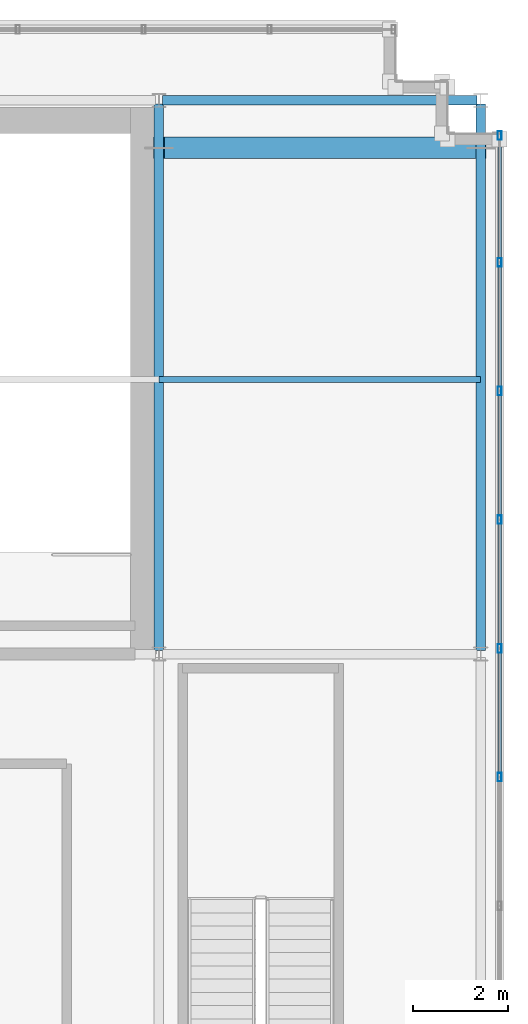
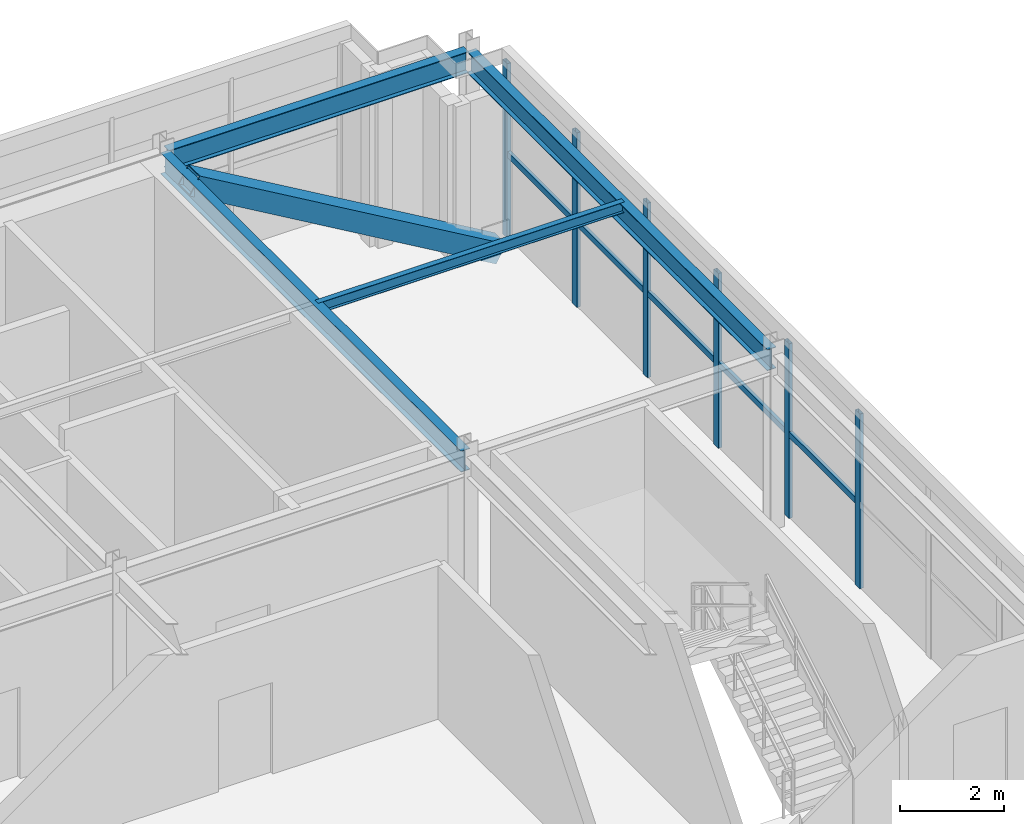
# One storey, part 22 of 37: 13 members, 3 beams, 1 element without a shape of its own.
"""IFC4 building model written with IfcOpenShell, lengths in metres."""

from ifc_helpers import new_model, si_unit, direction, frame, origin, origin_2d, place, context, subcontext, project, spatial, hollow_rectangle, i_section, extrude, source, transform, mapped, material, material_profile, profile_set, type_object, element, aggregate, save


model = new_model("IFC4")

# Units and contexts
model_context = context("Model", 3, precision=1e-05, world=origin(), true_north=direction((0.0, 1.0)))
body_context = subcontext(model_context, "Body", "Model", "MODEL_VIEW")
ifc_project = project(units=[si_unit("LENGTHUNIT", "METRE"), si_unit("AREAUNIT", "SQUARE_METRE"), si_unit("VOLUMEUNIT", "CUBIC_METRE"), si_unit("PLANEANGLEUNIT", "RADIAN"), si_unit("MASSUNIT", "GRAM", prefix="KILO")], contexts=[model_context])

# Site, building, storey
site_placement = place(None, origin())
site = spatial("IfcSite", under=ifc_project, at=site_placement, CompositionType="ELEMENT")
building_placement = place(site_placement, origin())
building = spatial("IfcBuilding", under=site, at=building_placement, Name="Trelvane Seafront Commons", CompositionType="ELEMENT")
storey_placement = place(building_placement, frame((0.0, 0.0, 303.5)))
storey = spatial("IfcBuildingStorey", under=building, at=storey_placement, Name="L79", CompositionType="ELEMENT", Elevation=303.5)

# Beams
ifc_material_1 = material(Name="Steel SM355 (S355)", Category="steel")
ifc_material_profile_1 = material_profile(ifc_material_1, i_section(OverallWidth=0.199951171875, OverallDepth=0.5, WebThickness=0.010009765625, FlangeThickness=0.01611328125, at=origin_2d()), Name="H-500x200x10x16")
ifc_profile_set_1 = profile_set([ifc_material_profile_1], Name="Steel SM355 (S355)")
beam_type_1 = type_object("IfcBeamType", Name="STR-CROWN-FRAME-RING", PredefinedType="SPANDREL", material=ifc_profile_set_1)
shared_shape_1 = source(origin(), body_context, "Body", "SweptSolid", [
    extrude(i_section(OverallWidth=0.199951171875, OverallDepth=0.5, WebThickness=0.010009765625, FlangeThickness=0.01611328125, at=origin_2d()), origin(), (0.0, 0.0, 1.0), 6.64990234375),
])
beam_placement = place(storey_placement, frame((58.875, 45.10009765625, 3.85009765625), z_axis=(1.0, 0.0, 0.0), x_axis=(0.0, 1.0, 0.0)))
element("IfcBeam", 1, at=beam_placement, inside=storey, type_object=beam_type_1, Name="L79 CROWN FRAME Ring Beam G-21", PredefinedType="SPANDREL", context=body_context, shape_type="MappedRepresentation", body=[
    mapped(shared_shape_1, transform((0.0, 0.0, 0.0), x_axis=(1.0, 0.0, 0.0), y_axis=(0.0, 1.0, 0.0), z_axis=(0.0, 0.0, 1.0), scale=1.0)),
])
ifc_material_profile_2 = material_profile(ifc_material_1, i_section(OverallWidth=0.199951171875, OverallDepth=0.5, WebThickness=0.010009765625, FlangeThickness=0.01611328125, at=origin_2d()), Name="H-500x200x10x16")
ifc_profile_set_2 = profile_set([ifc_material_profile_2], Name="Steel SM355 (S355)")
beam_type_2 = type_object("IfcBeamType", Name="STR-BM-H500", PredefinedType="BEAM", material=ifc_profile_set_2)
shared_shape_2 = source(origin(), body_context, "Body", "SweptSolid", [
    extrude(i_section(OverallWidth=0.199951171875, OverallDepth=0.5, WebThickness=0.010009765625, FlangeThickness=0.01611328125, at=origin_2d()), origin(), (0.0, 0.0, 1.0), 11.5498046875),
])
for number, where, z_axis, x_axis, name in (
    (2, (58.800048828125, 33.47509765625, 3.85009765625), (0.0, 1.0, 0.0), (-1.0, 0.0, 0.0), "L79 Primary Girder G-35"),
    (3, (65.60009765625, 33.47509765625, 3.85009765625), (0.0, 1.0, 0.0), (-1.0, 0.0, 0.0), "L79 Primary Girder G-37"),
):
    element("IfcBeam", number, at=place(storey_placement, frame(where, z_axis=z_axis, x_axis=x_axis)), inside=storey, type_object=beam_type_2, Name=name, PredefinedType="BEAM", context=body_context, shape_type="MappedRepresentation", body=[
        mapped(shared_shape_2, transform((0.0, 0.0, 0.0), x_axis=(1.0, 0.0, 0.0), y_axis=(0.0, 1.0, 0.0), z_axis=(0.0, 0.0, 1.0), scale=1.0)),
    ])

# Members
ifc_material_profile_3 = material_profile(ifc_material_1, i_section(OverallWidth=0.125, OverallDepth=0.25, WebThickness=0.006103515625, FlangeThickness=0.009033203125, at=origin_2d()), Name="H-250x125x6x9")
ifc_profile_set_3 = profile_set([ifc_material_profile_3], Name="Steel SM355 (S355)")
member_type_1 = type_object("IfcMemberType", Name="STR-PUR-H250", PredefinedType="PURLIN", material=ifc_profile_set_3)
shared_shape_3 = source(origin(), body_context, "Body", "SweptSolid", [
    extrude(i_section(OverallWidth=0.125, OverallDepth=0.25, WebThickness=0.006103515625, FlangeThickness=0.009033203125, at=origin_2d()), origin(), (0.0, 0.0, 1.0), 6.800048828125),
])
member_1_placement = place(storey_placement, frame((58.800048828125, 39.199951171875, 3.97509765625), z_axis=(1.0, 0.0, 0.0), x_axis=(0.0, 1.0, 0.0)))
element("IfcMember", 4, at=member_1_placement, inside=storey, type_object=member_type_1, Name="L79 Crown Roof Purlin PR-2", PredefinedType="PURLIN", context=body_context, shape_type="MappedRepresentation", body=[
    mapped(shared_shape_3, transform((0.0, 0.0, 0.0), x_axis=(1.0, 0.0, 0.0), y_axis=(0.0, 1.0, 0.0), z_axis=(0.0, 0.0, 1.0), scale=1.0)),
])
ifc_material_profile_4 = material_profile(ifc_material_1, hollow_rectangle(XDim=0.449951171875, YDim=0.449951171875, WallThickness=0.02001953125, at=origin_2d()), Name="RHS-450x450x20")
ifc_profile_set_4 = profile_set([ifc_material_profile_4], Name="Steel SM355 (S355)")
member_type_2 = type_object("IfcMemberType", Name="STR-BRC-RHS450", PredefinedType="BRACE", material=ifc_profile_set_4)
shared_shape_4 = source(origin(), body_context, "Body", "SweptSolid", [
    extrude(hollow_rectangle(XDim=0.449951171875, YDim=0.449951171875, WallThickness=0.02001953125, at=origin_2d()), origin(), (0.0, 0.0, 1.0), 7.879150390625),
])
member_2_placement = place(storey_placement, frame((65.60009765625, 44.10009765625, 0.0), z_axis=(-0.863044121855, 0.0, 0.50512854179), x_axis=(0.0, -1.0, 0.0)))
element("IfcMember", 5, at=member_2_placement, inside=storey, type_object=member_type_2, Name="L79 CROWN FRAME Diagonal Brace CE", PredefinedType="BRACE", context=body_context, shape_type="MappedRepresentation", body=[
    mapped(shared_shape_4, transform((0.0, 0.0, 0.0), x_axis=(1.0, 0.0, 0.0), y_axis=(0.0, 1.0, 0.0), z_axis=(0.0, 0.0, 1.0), scale=1.0)),
])

# Curtain wall, members
ifc_material_2 = material(Name="Anodised pale-silver aluminium", Category="aluminium")
curtain_wall_type = type_object("IfcCurtainWallType", Name="ARCH-CW6-CROWN", PredefinedType="NOTDEFINED", material=ifc_material_2)
curtain_wall_placement = place(storey_placement, origin())
curtain_wall = element("IfcCurtainWall", 6, at=curtain_wall_placement, inside=storey, type_object=curtain_wall_type, Name="CW-L79-0130", PredefinedType="NOTDEFINED")
ifc_material_profile_5 = material_profile(ifc_material_2, hollow_rectangle(XDim=0.080078125, YDim=0.179931640625, WallThickness=0.00439453125, at=origin_2d()), Name="MULL-80x180x4.5")
ifc_profile_set_5 = profile_set([ifc_material_profile_5], Name="Anodised pale-silver aluminium")
member_type_3 = type_object("IfcMemberType", Name="ARCH-CW-MULL-180", PredefinedType="MULLION", material=ifc_profile_set_5)
shared_shape_5 = source(origin(), body_context, "Body", "SweptSolid", [
    extrude(hollow_rectangle(XDim=0.080078125, YDim=0.179931640625, WallThickness=0.00439453125, at=origin_2d()), origin(), (0.0, 0.0, 1.0), 4.10009765625),
])
member_3_placement = place(storey_placement, frame((66.0, 44.360107421875, 0.0), z_axis=(0.0, 0.0, 1.0), x_axis=(1.0, 0.0, 0.0)))
member_3 = element("IfcMember", 7, at=member_3_placement, type_object=member_type_3, Name="CW-L79-0130-M00", PredefinedType="MULLION", context=body_context, shape_type="MappedRepresentation", body=[
    mapped(shared_shape_5, transform((0.0, 0.0, 0.0), x_axis=(1.0, 0.0, 0.0), y_axis=(0.0, 1.0, 0.0), z_axis=(0.0, 0.0, 1.0), scale=1.0)),
])
member_4_placement = place(storey_placement, frame((66.0, 41.679931640625, 0.0), z_axis=(0.0, 0.0, 1.0), x_axis=(1.0, 0.0, 0.0)))
member_4 = element("IfcMember", 8, at=member_4_placement, type_object=member_type_3, Name="CW-L79-0130-M01", PredefinedType="MULLION", context=body_context, shape_type="MappedRepresentation", body=[
    mapped(shared_shape_5, transform((0.0, 0.0, 0.0), x_axis=(1.0, 0.0, 0.0), y_axis=(0.0, 1.0, 0.0), z_axis=(0.0, 0.0, 1.0), scale=1.0)),
])
member_5_placement = place(storey_placement, frame((66.0, 38.9599609375, 0.0), z_axis=(0.0, 0.0, 1.0), x_axis=(1.0, 0.0, 0.0)))
member_5 = element("IfcMember", 9, at=member_5_placement, type_object=member_type_3, Name="CW-L79-0130-M02", PredefinedType="MULLION", context=body_context, shape_type="MappedRepresentation", body=[
    mapped(shared_shape_5, transform((0.0, 0.0, 0.0), x_axis=(1.0, 0.0, 0.0), y_axis=(0.0, 1.0, 0.0), z_axis=(0.0, 0.0, 1.0), scale=1.0)),
])
member_6_placement = place(storey_placement, frame((66.0, 36.239990234375, 0.0), z_axis=(0.0, 0.0, 1.0), x_axis=(1.0, 0.0, 0.0)))
member_6 = element("IfcMember", 10, at=member_6_placement, type_object=member_type_3, Name="CW-L79-0130-M03", PredefinedType="MULLION", context=body_context, shape_type="MappedRepresentation", body=[
    mapped(shared_shape_5, transform((0.0, 0.0, 0.0), x_axis=(1.0, 0.0, 0.0), y_axis=(0.0, 1.0, 0.0), z_axis=(0.0, 0.0, 1.0), scale=1.0)),
])
member_7_placement = place(storey_placement, frame((66.0, 33.52001953125, 0.0), z_axis=(0.0, 0.0, 1.0), x_axis=(1.0, 0.0, 0.0)))
member_7 = element("IfcMember", 11, at=member_7_placement, type_object=member_type_3, Name="CW-L79-0130-M04", PredefinedType="MULLION", context=body_context, shape_type="MappedRepresentation", body=[
    mapped(shared_shape_5, transform((0.0, 0.0, 0.0), x_axis=(1.0, 0.0, 0.0), y_axis=(0.0, 1.0, 0.0), z_axis=(0.0, 0.0, 1.0), scale=1.0)),
])
member_8_placement = place(storey_placement, frame((66.0, 30.800048828125, 0.0), z_axis=(0.0, 0.0, 1.0), x_axis=(1.0, 0.0, 0.0)))
member_8 = element("IfcMember", 12, at=member_8_placement, type_object=member_type_3, Name="CW-L79-0130-M05", PredefinedType="MULLION", context=body_context, shape_type="MappedRepresentation", body=[
    mapped(shared_shape_5, transform((0.0, 0.0, 0.0), x_axis=(1.0, 0.0, 0.0), y_axis=(0.0, 1.0, 0.0), z_axis=(0.0, 0.0, 1.0), scale=1.0)),
])
ifc_material_profile_6 = material_profile(ifc_material_2, hollow_rectangle(XDim=0.074951171875, YDim=0.139892578125, WallThickness=0.00390625, at=origin_2d()), Name="TRAN-75x140x4")
ifc_profile_set_6 = profile_set([ifc_material_profile_6], Name="Anodised pale-silver aluminium")
member_type_4 = type_object("IfcMemberType", Name="ARCH-CW-TRAN-140", PredefinedType="USERDEFINED", material=ifc_profile_set_6)
shared_shape_6 = source(origin(), body_context, "Body", "SweptSolid", [
    extrude(hollow_rectangle(XDim=0.074951171875, YDim=0.139892578125, WallThickness=0.00390625, at=origin_2d()), origin(), (0.0, 0.0, 1.0), 2.696044921875),
])
member_9_placement = place(storey_placement, frame((66.0, 44.387939453125, 1.968017578125), z_axis=(0.0, -1.0, 0.0), x_axis=(1.0, 0.0, 0.0)))
member_9 = element("IfcMember", 13, at=member_9_placement, type_object=member_type_4, Name="CW-L79-0130-T00", ObjectType="TRANSOM", PredefinedType="USERDEFINED", context=body_context, shape_type="MappedRepresentation", body=[
    mapped(shared_shape_6, transform((0.0, 0.0, 0.0), x_axis=(1.0, 0.0, 0.0), y_axis=(0.0, 1.0, 0.0), z_axis=(0.0, 0.0, 1.0), scale=1.0)),
])
member_10_placement = place(storey_placement, frame((66.0, 41.66796875, 1.968017578125), z_axis=(0.0, -1.0, 0.0), x_axis=(1.0, 0.0, 0.0)))
member_10 = element("IfcMember", 14, at=member_10_placement, type_object=member_type_4, Name="CW-L79-0130-T01", ObjectType="TRANSOM", PredefinedType="USERDEFINED", context=body_context, shape_type="MappedRepresentation", body=[
    mapped(shared_shape_6, transform((0.0, 0.0, 0.0), x_axis=(1.0, 0.0, 0.0), y_axis=(0.0, 1.0, 0.0), z_axis=(0.0, 0.0, 1.0), scale=1.0)),
])
member_11_placement = place(storey_placement, frame((66.0, 38.947998046875, 1.968017578125), z_axis=(0.0, -1.0, 0.0), x_axis=(1.0, 0.0, 0.0)))
member_11 = element("IfcMember", 15, at=member_11_placement, type_object=member_type_4, Name="CW-L79-0130-T02", ObjectType="TRANSOM", PredefinedType="USERDEFINED", context=body_context, shape_type="MappedRepresentation", body=[
    mapped(shared_shape_6, transform((0.0, 0.0, 0.0), x_axis=(1.0, 0.0, 0.0), y_axis=(0.0, 1.0, 0.0), z_axis=(0.0, 0.0, 1.0), scale=1.0)),
])
member_12_placement = place(storey_placement, frame((66.0, 36.22802734375, 1.968017578125), z_axis=(0.0, -1.0, 0.0), x_axis=(1.0, 0.0, 0.0)))
member_12 = element("IfcMember", 16, at=member_12_placement, type_object=member_type_4, Name="CW-L79-0130-T03", ObjectType="TRANSOM", PredefinedType="USERDEFINED", context=body_context, shape_type="MappedRepresentation", body=[
    mapped(shared_shape_6, transform((0.0, 0.0, 0.0), x_axis=(1.0, 0.0, 0.0), y_axis=(0.0, 1.0, 0.0), z_axis=(0.0, 0.0, 1.0), scale=1.0)),
])
member_13_placement = place(storey_placement, frame((66.0, 33.508056640625, 1.968017578125), z_axis=(0.0, -1.0, 0.0), x_axis=(1.0, 0.0, 0.0)))
member_13 = element("IfcMember", 17, at=member_13_placement, type_object=member_type_4, Name="CW-L79-0130-T04", ObjectType="TRANSOM", PredefinedType="USERDEFINED", context=body_context, shape_type="MappedRepresentation", body=[
    mapped(shared_shape_6, transform((0.0, 0.0, 0.0), x_axis=(1.0, 0.0, 0.0), y_axis=(0.0, 1.0, 0.0), z_axis=(0.0, 0.0, 1.0), scale=1.0)),
])
aggregate(curtain_wall, [member_3, member_4, member_5, member_6, member_7, member_8, member_9, member_10, member_11, member_12, member_13])

save(model, "model.ifc")
